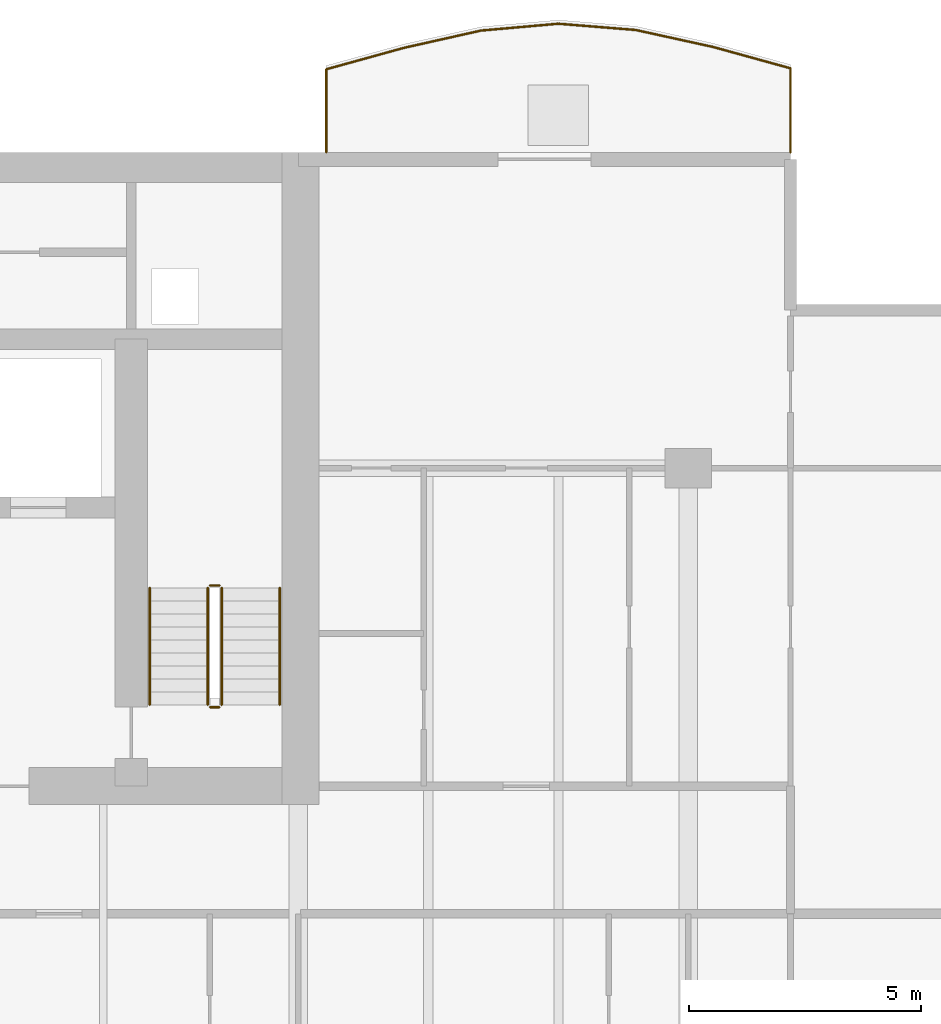
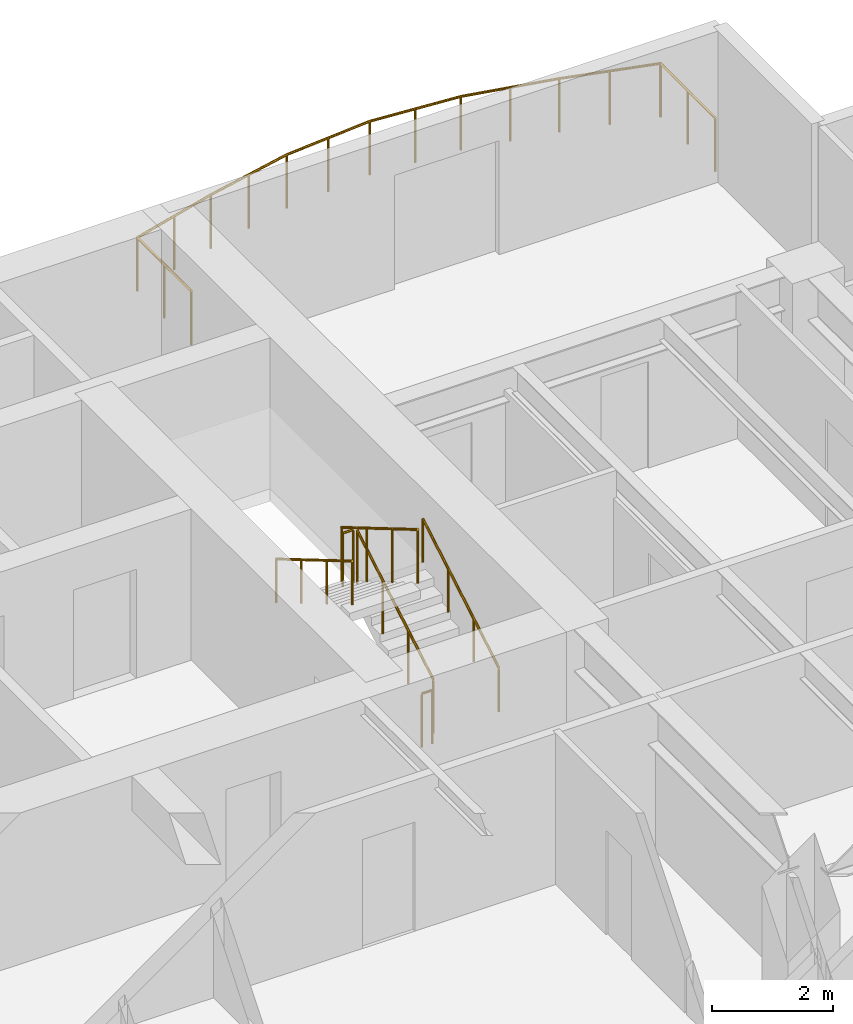
# One storey, part 15 of 16: 7 railings.
"""IFC4 building model written with IfcOpenShell, lengths in metres."""

import ifcopenshell
import ifcopenshell.guid

model = None  # the IFC model being written
_history = None  # IfcOwnerHistory: only IFC2X3 demands one
_inside = {}  # id of a spatial element -> (the spatial element, [elements in it])
_under = {}  # id of a project, library or spatial element -> (it, [spatial elements below it])
_declared = {}  # id of a project -> (the project, [libraries it declares])
_typed = {}  # id of a type object -> (the type object, [elements of that type])
_made_of = {}  # id of a material, layer set ... -> (it, [elements and type objects made of it])


def new_model(schema):
    """Start an empty IFC model of exactly this schema.

    Asked for "IFC4X3", IfcOpenShell would pick the latest addendum, in which some entities
    have other attributes; the version numbers below select the first issue.
    IFC2X3 requires an IfcOwnerHistory on every rooted entity: one is made here for all.
    """
    global model, _history
    if schema == "IFC4X3":
        model = ifcopenshell.file(schema_version=(4, 3, 0, 0))
    else:
        model = ifcopenshell.file(schema=schema)
    _inside.clear()
    _under.clear()
    _declared.clear()
    _typed.clear()
    _made_of.clear()
    _history = None
    if model.schema == "IFC2X3":
        org = make("IfcOrganization", Name="unknown")
        user = make(
            "IfcPersonAndOrganization",
            ThePerson=make("IfcPerson", FamilyName="unknown"),
            TheOrganization=org,
        )
        app = make(
            "IfcApplication",
            ApplicationDeveloper=org,
            Version="unknown",
            ApplicationFullName="unknown",
            ApplicationIdentifier="unknown",
        )
        _history = make(
            "IfcOwnerHistory",
            OwningUser=user,
            OwningApplication=app,
            ChangeAction="ADDED",
            CreationDate=0,
        )
    return model


def make(cls, **values):
    """One entity of the class cls with the attributes given. An attribute that is None is left unset."""
    return model.create_entity(
        cls, **{name: value for name, value in values.items() if value is not None}
    )


def rooted(cls, **values):
    """An entity with a GlobalId (a new one), such as an element, a storey or a relation."""
    return make(cls, GlobalId=ifcopenshell.guid.new(), OwnerHistory=_history, **values)


def si_unit(unit_type, name, prefix=None):
    """IfcSIUnit, for example si_unit("LENGTHUNIT", "METRE", prefix="MILLI")."""
    return make("IfcSIUnit", UnitType=unit_type, Prefix=prefix, Name=name)


def assignment(units):
    """IfcUnitAssignment: the units of a project."""
    return None if units is None else make("IfcUnitAssignment", Units=units)


def point(xyz):
    """IfcCartesianPoint."""
    return None if xyz is None else make("IfcCartesianPoint", Coordinates=xyz)


def direction(xyz):
    """IfcDirection."""
    return None if xyz is None else make("IfcDirection", DirectionRatios=xyz)


def frame(location, z_axis=None, x_axis=None):
    """IfcAxis2Placement3D, a coordinate frame: its origin and axes. An axis left out is left unset."""
    return make(
        "IfcAxis2Placement3D",
        Location=point(location),
        Axis=direction(z_axis),
        RefDirection=direction(x_axis),
    )


def frame_2d(location, x_axis=None):
    """IfcAxis2Placement2D, a coordinate frame in the plane: its origin and x axis."""
    return make(
        "IfcAxis2Placement2D", Location=point(location), RefDirection=direction(x_axis)
    )


def origin():
    """The frame at (0, 0, 0) with its axes left unset."""
    return frame((0.0, 0.0, 0.0))


def origin_2d():
    """The frame at (0, 0) in the plane with its x axis left unset."""
    return frame_2d((0.0, 0.0))


def place(relative_to, where):
    """IfcLocalPlacement: puts the frame where relative to a parent placement (None: the world)."""
    return make(
        "IfcLocalPlacement", PlacementRelTo=relative_to, RelativePlacement=where
    )


def context(
    kind, dimensions, precision=None, world=None, true_north=None, identifier=None
):
    """IfcGeometricRepresentationContext, for example the 3D "Model" context."""
    return make(
        "IfcGeometricRepresentationContext",
        ContextIdentifier=identifier,
        ContextType=kind,
        CoordinateSpaceDimension=dimensions,
        Precision=precision,
        WorldCoordinateSystem=world,
        TrueNorth=true_north,
    )


def subcontext(parent, identifier, kind, view, scale=None):
    """IfcGeometricRepresentationSubContext, for example "Body" below "Model"."""
    return make(
        "IfcGeometricRepresentationSubContext",
        ContextIdentifier=identifier,
        ContextType=kind,
        ParentContext=parent,
        TargetScale=scale,
        TargetView=view,
    )


def project(units=None, contexts=None):
    """IfcProject with its units and contexts."""
    return rooted(
        "IfcProject",
        Name="project",
        RepresentationContexts=contexts,
        UnitsInContext=assignment(units),
    )


def spatial(cls, under=None, at=None, **own):
    """A site, building, storey or space (cls), placed at a placement, below another one or the project."""
    s = rooted(cls, ObjectPlacement=at, **own)
    if under is not None:
        _under.setdefault(under.id(), (under, []))[1].append(s)
    return s


def profile(cls, at=None, kind="AREA", **sizes):
    """A parametric profile (cls). Its sizes go by their IFC names, for example OverallWidth=200.0."""
    return make(cls, ProfileType=kind, Position=at, **sizes)


def circle(**sizes):
    """IfcCircleProfileDef."""
    return profile("IfcCircleProfileDef", **sizes)


def extrude(swept, where, along, depth):
    """IfcExtrudedAreaSolid: the profile swept, set in the frame where, extruded along a direction by depth."""
    return make(
        "IfcExtrudedAreaSolid",
        SweptArea=swept,
        Position=where,
        ExtrudedDirection=direction(along),
        Depth=depth,
    )


def shape(context_of_items, identifier, shape_type, items):
    """IfcShapeRepresentation: the items that make up one representation, for example the "Body"."""
    return make(
        "IfcShapeRepresentation",
        ContextOfItems=context_of_items,
        RepresentationIdentifier=identifier,
        RepresentationType=shape_type,
        Items=items,
    )


def material(Name=None, Category=None):
    """IfcMaterial."""
    return make("IfcMaterial", Name=Name, Category=Category)


def made_of(thing, what):
    """Note that an element or type object is made of a material, layer set ...; save() writes the relation."""
    if what is not None:
        _made_of.setdefault(what.id(), (what, []))[1].append(thing)
    return thing


def type_object(cls, material=None, **own):
    """A type object (cls), such as IfcWallType, which elements share."""
    return made_of(rooted(cls, **own), material)


def element(
    cls,
    number,
    at=None,
    inside=None,
    cuts=None,
    type_object=None,
    material=None,
    context=None,
    identifier="Body",
    shape_type=None,
    held_by="IfcProductDefinitionShape",
    body=None,
    shapes=None,
    **own,
):
    """One element of the class cls, such as IfcWall. Its Tag is "e" and its number.

    at: its placement. inside: the storey or other place that contains it. cuts: it is an
    opening in that element (IfcRelVoidsElement). A single representation is given by context,
    identifier, shape_type and body (its items); several are given by shapes. held_by: the class
    of the entity that holds the representations. save() writes the other relations.
    """
    e = rooted(cls, Tag="e%d" % number, ObjectPlacement=at, **own)
    if body is not None:
        shapes = [shape(context, identifier, shape_type, body)]
    if shapes is not None:
        e.Representation = make(held_by, Representations=shapes)
    if inside is not None:
        _inside.setdefault(inside.id(), (inside, []))[1].append(e)
    if cuts is not None:
        rooted(
            "IfcRelVoidsElement", RelatingBuildingElement=cuts, RelatedOpeningElement=e
        )
    if type_object is not None:
        _typed.setdefault(type_object.id(), (type_object, []))[1].append(e)
    return made_of(e, material)


def aggregate(whole, parts):
    """IfcRelAggregates: a whole, such as a stair, and the parts it consists of."""
    return rooted("IfcRelAggregates", RelatingObject=whole, RelatedObjects=parts)


def save(model, path):
    """Write the relations noted so far, then the file.

    IfcRelAggregates (storeys below a building ...), IfcRelContainedInSpatialStructure (elements
    in a storey), IfcRelDefinesByType, IfcRelAssociatesMaterial and IfcRelDeclares: one each for
    every whole, place, type object, material and project.
    """
    for whole, parts in _under.values():
        aggregate(whole, parts)
    for where, things in _inside.values():
        rooted(
            "IfcRelContainedInSpatialStructure",
            RelatedElements=things,
            RelatingStructure=where,
        )
    for kind, things in _typed.values():
        rooted("IfcRelDefinesByType", RelatedObjects=things, RelatingType=kind)
    for what, things in _made_of.values():
        rooted("IfcRelAssociatesMaterial", RelatedObjects=things, RelatingMaterial=what)
    for by, libraries in _declared.values():
        rooted("IfcRelDeclares", RelatingContext=by, RelatedDefinitions=libraries)
    model.write(path)


model = new_model("IFC4")

# Units and contexts
model_context = context("Model", 3, precision=1e-05, world=origin(), true_north=direction((0.0, 1.0)))
body_context = subcontext(model_context, "Body", "Model", "MODEL_VIEW")
ifc_project = project(units=[si_unit("LENGTHUNIT", "METRE"), si_unit("AREAUNIT", "SQUARE_METRE"), si_unit("VOLUMEUNIT", "CUBIC_METRE"), si_unit("PLANEANGLEUNIT", "RADIAN"), si_unit("MASSUNIT", "GRAM", prefix="KILO")], contexts=[model_context])

# Site, building, storey
site_placement = place(None, origin())
site = spatial("IfcSite", under=ifc_project, at=site_placement, CompositionType="ELEMENT")
building_placement = place(site_placement, origin())
building = spatial("IfcBuilding", under=site, at=building_placement, Name="Caelmar Bay Residences", CompositionType="ELEMENT")
storey_placement = place(building_placement, frame((0.0, 0.0, 145.5)))
storey = spatial("IfcBuildingStorey", under=building, at=storey_placement, Name="L40", CompositionType="ELEMENT", Elevation=145.5)

# Railings
ifc_material_1 = material(Name="Anodised bronze handrail with laminated hurricane glass infill", Category="glass")
railing_type_1 = type_object("IfcRailingType", Name="RL-BAL-1100", PredefinedType="BALUSTRADE", material=ifc_material_1)
railing_1_placement = place(storey_placement, frame((70.10009765625, 50.60009765625, 0.0)))
element("IfcRailing", 1, at=railing_1_placement, inside=storey, type_object=railing_type_1, Name="L40 north_east Balcony Balustrade", PredefinedType="BALUSTRADE", context=body_context, shape_type="SweptSolid", body=[
    extrude(circle(Radius=0.02392578125, at=origin_2d()), frame((0.0, 0.0, 1.076171875), z_axis=(0.0, 1.0, 0.0), x_axis=(-1.0, 0.0, 0.0)), (0.0, 0.0, 1.0), 1.8095703125),
    extrude(circle(Radius=0.02392578125, at=origin_2d()), frame((0.0, 1.8095703125, 1.076171875), z_axis=(-0.964003851304, 0.265888274792, 0.0), x_axis=(-0.265888274792, -0.964003851304, 0.0)), (0.0, 0.0, 1.0), 1.72900390625),
    extrude(circle(Radius=0.02392578125, at=origin_2d()), frame((-1.666748046875, 2.269287109375, 1.076171875), z_axis=(-0.976732649354, 0.214460559745, 0.0), x_axis=(-0.214460559745, -0.976732649354, 0.0)), (0.0, 0.0, 1.0), 1.70654296875),
    extrude(circle(Radius=0.02392578125, at=origin_2d()), frame((-3.33349609375, 2.63525390625, 1.076171875), z_axis=(-0.996757913482, 0.080459069782, 0.0), x_axis=(-0.080459069782, -0.996757913482, 0.0)), (0.0, 0.0, 1.0), 1.671875),
    extrude(circle(Radius=0.02392578125, at=origin_2d()), frame((-5.0, 2.769775390625, 1.076171875), z_axis=(-0.99610915751, -0.088128011006, 0.0), x_axis=(0.088128011006, -0.99610915751, 0.0)), (0.0, 0.0, 1.0), 1.67333984375),
    extrude(circle(Radius=0.02392578125, at=origin_2d()), frame((-6.666748046875, 2.622314453125, 1.076171875), z_axis=(-0.975703783406, -0.219093877246, 0.0), x_axis=(0.219093877246, -0.975703783406, 0.0)), (0.0, 0.0, 1.0), 1.708251953125),
    extrude(circle(Radius=0.02392578125, at=origin_2d()), frame((-8.33349609375, 2.248046875, 1.076171875), z_axis=(-0.963957656343, -0.266055702395, 0.0), x_axis=(0.266055702395, -0.963957656343, 0.0)), (0.0, 0.0, 1.0), 1.728759765625),
    extrude(circle(Radius=0.02392578125, at=origin_2d()), frame((-10.0, 1.7880859375, 1.076171875), z_axis=(0.0, -1.0, 0.0), x_axis=(1.0, 0.0, 0.0)), (0.0, 0.0, 1.0), 1.7880859375),
    extrude(circle(Radius=0.02099609375, at=origin_2d()), origin(), (0.0, 0.0, 1.0), 1.052001953125),
    extrude(circle(Radius=0.02099609375, at=origin_2d()), frame((0.0, 0.90478515625, 0.0)), (0.0, 0.0, 1.0), 1.052001953125),
    extrude(circle(Radius=0.02099609375, at=origin_2d()), frame((0.0, 1.8095703125, 0.0)), (0.0, 0.0, 1.0), 1.052001953125),
    extrude(circle(Radius=0.02099609375, at=origin_2d()), frame((-0.83349609375, 2.03955078125, 0.0)), (0.0, 0.0, 1.0), 1.052001953125),
    extrude(circle(Radius=0.02099609375, at=origin_2d()), frame((-1.666748046875, 2.269287109375, 0.0)), (0.0, 0.0, 1.0), 1.052001953125),
    extrude(circle(Radius=0.02099609375, at=origin_2d()), frame((-2.5, 2.4521484375, 0.0)), (0.0, 0.0, 1.0), 1.052001953125),
    extrude(circle(Radius=0.02099609375, at=origin_2d()), frame((-3.33349609375, 2.63525390625, 0.0)), (0.0, 0.0, 1.0), 1.052001953125),
    extrude(circle(Radius=0.02099609375, at=origin_2d()), frame((-4.166748046875, 2.70263671875, 0.0)), (0.0, 0.0, 1.0), 1.052001953125),
    extrude(circle(Radius=0.02099609375, at=origin_2d()), frame((-5.0, 2.769775390625, 0.0)), (0.0, 0.0, 1.0), 1.052001953125),
    extrude(circle(Radius=0.02099609375, at=origin_2d()), frame((-5.83349609375, 2.696044921875, 0.0)), (0.0, 0.0, 1.0), 1.052001953125),
    extrude(circle(Radius=0.02099609375, at=origin_2d()), frame((-6.666748046875, 2.622314453125, 0.0)), (0.0, 0.0, 1.0), 1.052001953125),
    extrude(circle(Radius=0.02099609375, at=origin_2d()), frame((-7.5, 2.43505859375, 0.0)), (0.0, 0.0, 1.0), 1.052001953125),
    extrude(circle(Radius=0.02099609375, at=origin_2d()), frame((-8.33349609375, 2.248046875, 0.0)), (0.0, 0.0, 1.0), 1.052001953125),
    extrude(circle(Radius=0.02099609375, at=origin_2d()), frame((-9.166748046875, 2.01806640625, 0.0)), (0.0, 0.0, 1.0), 1.052001953125),
    extrude(circle(Radius=0.02099609375, at=origin_2d()), frame((-10.0, 1.7880859375, 0.0)), (0.0, 0.0, 1.0), 1.052001953125),
    extrude(circle(Radius=0.02099609375, at=origin_2d()), frame((-10.0, 0.89404296875, 0.0)), (0.0, 0.0, 1.0), 1.052001953125),
    extrude(circle(Radius=0.02099609375, at=origin_2d()), frame((-10.0, 0.0, 0.0)), (0.0, 0.0, 1.0), 1.052001953125),
])
ifc_material_2 = material(Name="Painted galvanized steel stair guard 1100 mm", Category="steel")
railing_type_2 = type_object("IfcRailingType", Name="RL-GRD-1100", PredefinedType="GUARDRAIL", material=ifc_material_2)
railing_2_placement = place(storey_placement, frame((57.85009765625, 38.699951171875, 0.1650390625)))
element("IfcRailing", 2, at=railing_2_placement, inside=storey, type_object=railing_type_2, Name="L40 ST2 stair guard 1", PredefinedType="GUARDRAIL", context=body_context, shape_type="SweptSolid", body=[
    extrude(circle(Radius=0.02392578125, at=origin_2d()), frame((0.0, 0.0, 1.076171875), z_axis=(0.0, 0.861560626758, 0.507654692109), x_axis=(-1.0, 0.0, 0.0)), (0.0, 0.0, 1.0), 2.925048828125),
    extrude(circle(Radius=0.02099609375, at=origin_2d()), origin(), (0.0, 0.0, 1.0), 1.052001953125),
    extrude(circle(Radius=0.02099609375, at=origin_2d()), frame((0.0, 0.840087890625, 0.494873046875)), (0.0, 0.0, 1.0), 1.052001953125),
    extrude(circle(Radius=0.02099609375, at=origin_2d()), frame((0.0, 1.679931640625, 0.989990234375)), (0.0, 0.0, 1.0), 1.052001953125),
    extrude(circle(Radius=0.02099609375, at=origin_2d()), frame((0.0, 2.52001953125, 1.48486328125)), (0.0, 0.0, 1.0), 1.052001953125),
])
railing_3_placement = place(storey_placement, frame((57.800048828125, 41.27001953125, 1.64990234375)))
element("IfcRailing", 3, at=railing_3_placement, inside=storey, type_object=railing_type_2, Name="L40 ST2 stair guard 2", PredefinedType="GUARDRAIL", context=body_context, shape_type="SweptSolid", body=[
    extrude(circle(Radius=0.02392578125, at=origin_2d()), frame((0.0, 0.0, 1.076171875), z_axis=(-1.0, 0.0, 0.0), x_axis=(0.0, -1.0, 0.0)), (0.0, 0.0, 1.0), 0.199951171875),
    extrude(circle(Radius=0.02099609375, at=origin_2d()), origin(), (0.0, 0.0, 1.0), 1.052001953125),
    extrude(circle(Radius=0.02099609375, at=origin_2d()), frame((-0.199951171875, 0.0, 0.0)), (0.0, 0.0, 1.0), 1.052001953125),
])
railing_4_placement = place(storey_placement, frame((57.550048828125, 41.219970703125, 1.81494140625)))
element("IfcRailing", 4, at=railing_4_placement, inside=storey, type_object=railing_type_2, Name="L40 ST2 stair guard 3", PredefinedType="GUARDRAIL", context=body_context, shape_type="SweptSolid", body=[
    extrude(circle(Radius=0.02392578125, at=origin_2d()), frame((0.0, 0.0, 1.076171875), z_axis=(0.0, -0.86152411907, 0.507716645641), x_axis=(1.0, 0.0, 0.0)), (0.0, 0.0, 1.0), 2.925048828125),
    extrude(circle(Radius=0.02099609375, at=origin_2d()), origin(), (0.0, 0.0, 1.0), 1.052001953125),
    extrude(circle(Radius=0.02099609375, at=origin_2d()), frame((0.0, -0.840087890625, 0.4951171875)), (0.0, 0.0, 1.0), 1.052001953125),
    extrude(circle(Radius=0.02099609375, at=origin_2d()), frame((0.0, -1.679931640625, 0.989990234375)), (0.0, 0.0, 1.0), 1.052001953125),
    extrude(circle(Radius=0.02099609375, at=origin_2d()), frame((0.0, -2.52001953125, 1.485107421875)), (0.0, 0.0, 1.0), 1.052001953125),
])
railing_5_placement = place(storey_placement, frame((57.800048828125, 38.64990234375, 0.0)))
element("IfcRailing", 5, at=railing_5_placement, inside=storey, type_object=railing_type_2, Name="L40 ST2 stair guard 4", PredefinedType="GUARDRAIL", context=body_context, shape_type="SweptSolid", body=[
    extrude(circle(Radius=0.02392578125, at=origin_2d()), frame((0.0, 0.0, 1.076171875), z_axis=(-1.0, 0.0, 0.0), x_axis=(0.0, -1.0, 0.0)), (0.0, 0.0, 1.0), 0.199951171875),
    extrude(circle(Radius=0.02099609375, at=origin_2d()), origin(), (0.0, 0.0, 1.0), 1.052001953125),
    extrude(circle(Radius=0.02099609375, at=origin_2d()), frame((-0.199951171875, 0.0, 0.0)), (0.0, 0.0, 1.0), 1.052001953125),
])
ifc_material_3 = material(Name="Brushed bronze stainless-steel tubular handrail 900 mm", Category="steel")
railing_type_3 = type_object("IfcRailingType", Name="RL-HND-900", PredefinedType="HANDRAIL", material=ifc_material_3)
railing_6_placement = place(storey_placement, frame((59.10009765625, 38.699951171875, 0.1650390625)))
element("IfcRailing", 6, at=railing_6_placement, inside=storey, type_object=railing_type_3, Name="L40 ST2 stair handrail 1", PredefinedType="HANDRAIL", context=body_context, shape_type="SweptSolid", body=[
    extrude(circle(Radius=0.02392578125, at=origin_2d()), frame((0.0, 0.0, 0.8759765625), z_axis=(0.0, 0.861560626758, 0.507654692109), x_axis=(-1.0, 0.0, 0.0)), (0.0, 0.0, 1.0), 2.925048828125),
    extrude(circle(Radius=0.02099609375, at=origin_2d()), origin(), (0.0, 0.0, 1.0), 0.851806640625),
    extrude(circle(Radius=0.02099609375, at=origin_2d()), frame((0.0, 0.840087890625, 0.494873046875)), (0.0, 0.0, 1.0), 0.851806640625),
    extrude(circle(Radius=0.02099609375, at=origin_2d()), frame((0.0, 1.679931640625, 0.989990234375)), (0.0, 0.0, 1.0), 0.851806640625),
    extrude(circle(Radius=0.02099609375, at=origin_2d()), frame((0.0, 2.52001953125, 1.48486328125)), (0.0, 0.0, 1.0), 0.851806640625),
])
railing_7_placement = place(storey_placement, frame((56.300048828125, 41.219970703125, 1.81494140625)))
element("IfcRailing", 7, at=railing_7_placement, inside=storey, type_object=railing_type_3, Name="L40 ST2 stair handrail 2", PredefinedType="HANDRAIL", context=body_context, shape_type="SweptSolid", body=[
    extrude(circle(Radius=0.02392578125, at=origin_2d()), frame((0.0, 0.0, 0.8759765625), z_axis=(0.0, -0.86152411907, 0.507716645641), x_axis=(1.0, 0.0, 0.0)), (0.0, 0.0, 1.0), 2.925048828125),
    extrude(circle(Radius=0.02099609375, at=origin_2d()), origin(), (0.0, 0.0, 1.0), 0.851806640625),
    extrude(circle(Radius=0.02099609375, at=origin_2d()), frame((0.0, -0.840087890625, 0.4951171875)), (0.0, 0.0, 1.0), 0.851806640625),
    extrude(circle(Radius=0.02099609375, at=origin_2d()), frame((0.0, -1.679931640625, 0.989990234375)), (0.0, 0.0, 1.0), 0.851806640625),
    extrude(circle(Radius=0.02099609375, at=origin_2d()), frame((0.0, -2.52001953125, 1.485107421875)), (0.0, 0.0, 1.0), 0.851806640625),
])

save(model, "model.ifc")
